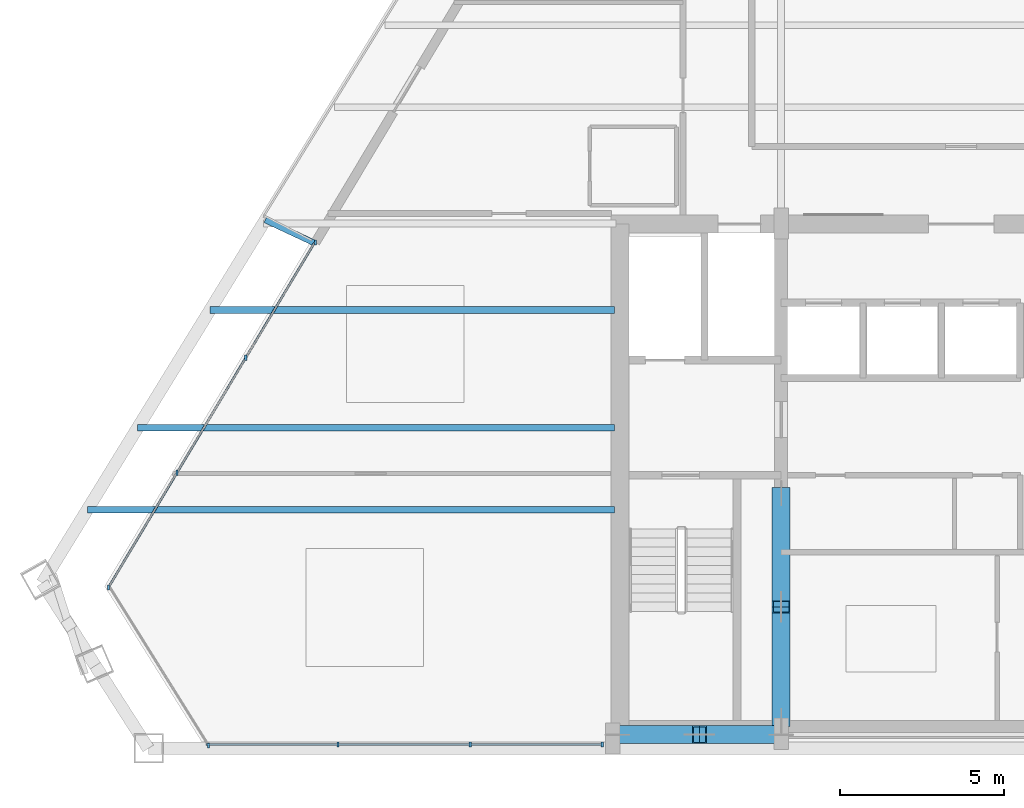
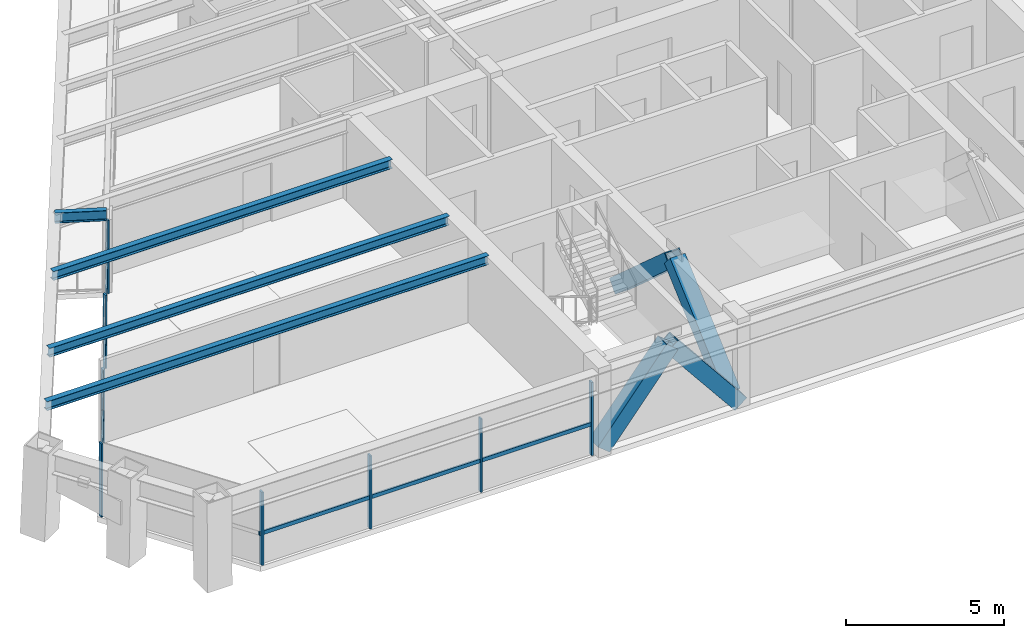
# One storey, part 2 of 12: 18 members, 4 beams, 3 elements without a shape of their own.
"""IFC4 building model written with IfcOpenShell, lengths in metres."""

from ifc_helpers import new_model, si_unit, direction, frame, origin, origin_2d, place, context, subcontext, project, spatial, rectangle, hollow_rectangle, i_section, extrude, source, transform, mapped, material, material_profile, profile_set, type_object, type_shapes, element, aggregate, save


model = new_model("IFC4")

# Units and contexts
model_context = context("Model", 3, precision=1e-05, world=origin(), true_north=direction((0.0, 1.0)))
body_context = subcontext(model_context, "Body", "Model", "MODEL_VIEW")
ifc_project = project(units=[si_unit("LENGTHUNIT", "METRE"), si_unit("AREAUNIT", "SQUARE_METRE"), si_unit("VOLUMEUNIT", "CUBIC_METRE"), si_unit("PLANEANGLEUNIT", "RADIAN"), si_unit("MASSUNIT", "GRAM", prefix="KILO")], contexts=[model_context])

# Site, building, storey
site_placement = place(None, origin())
site = spatial("IfcSite", under=ifc_project, at=site_placement, CompositionType="ELEMENT")
building_placement = place(site_placement, origin())
building = spatial("IfcBuilding", under=site, at=building_placement, Name="Varnakhor Terracotta Tower", CompositionType="ELEMENT")
storey_placement = place(building_placement, frame((0.0, 0.0, 223.449951171875)))
storey = spatial("IfcBuildingStorey", under=building, at=storey_placement, Name="L57", CompositionType="ELEMENT", Elevation=223.449951171875)

# Members
ifc_material_1 = material(Name="Steel S355", Category="steel")
ifc_material_profile_1 = material_profile(ifc_material_1, hollow_rectangle(XDim=0.550048828125, YDim=0.550048828125, WallThickness=0.034912109375, at=origin_2d()), Name="HSS550X550X35")
ifc_profile_set_1 = profile_set([ifc_material_profile_1], Name="Steel S355")
member_type_1 = type_object("IfcMemberType", Name="MBR-MEGA-550", PredefinedType="BRACE", material=ifc_profile_set_1)
shared_shape_1 = source(origin(), body_context, "Body", "SweptSolid", [
    extrude(hollow_rectangle(XDim=0.550048828125, YDim=0.550048828125, WallThickness=0.034912109375, at=origin_2d()), origin(), (0.0, 0.0, 1.0), 3.974853515625),
])
for number, where, z_axis, x_axis, name in (
    (1, (-10.5, 0.419921875, 0.0), (0.628970263838, 0.0, 0.777429358339), (0.0, 1.0, 0.0), "L57 Core Coupled Brace CSWA"),
    (2, (-5.5, 0.419921875, 0.0), (-0.628970263838, 0.0, 0.777429358339), (0.0, -1.0, 0.0), "L57 Core Coupled Brace CSWB"),
):
    element("IfcMember", number, at=place(storey_placement, frame(where, z_axis=z_axis, x_axis=x_axis)), inside=storey, type_object=member_type_1, Name=name, PredefinedType="BRACE", context=body_context, shape_type="MappedRepresentation", body=[
        mapped(shared_shape_1, transform((0.0, 0.0, 0.0), scale=1.0)),
    ])
shared_shape_2 = source(origin(), body_context, "Body", "SweptSolid", [
    extrude(hollow_rectangle(XDim=0.550048828125, YDim=0.550048828125, WallThickness=0.034912109375, at=origin_2d()), origin(), (0.0, 0.0, 1.0), 4.650146484375),
])
for number, where, z_axis, x_axis, name in (
    (3, (-5.5, 0.85009765625, 0.0), (0.0, 0.74726736397, 0.664523503532), (-1.0, 0.0, 0.0), "L57 Core Coupled Brace CWWA"),
    (4, (-5.5, 7.800048828125, 0.0), (0.0, -0.74729054724, 0.664497432655), (1.0, 0.0, 0.0), "L57 Core Coupled Brace CWWB"),
):
    element("IfcMember", number, at=place(storey_placement, frame(where, z_axis=z_axis, x_axis=x_axis)), inside=storey, type_object=member_type_1, Name=name, PredefinedType="BRACE", context=body_context, shape_type="MappedRepresentation", body=[
        mapped(shared_shape_2, transform((0.0, 0.0, 0.0), scale=1.0)),
    ])

# Beams
ifc_material_profile_2 = material_profile(ifc_material_1, i_section(OverallWidth=0.202880859375, OverallDepth=0.346923828125, WebThickness=0.0078125, FlangeThickness=0.013427734375, FilletRadius=0.01806640625, at=origin_2d()), Name="W14X43")
ifc_profile_set_2 = profile_set([ifc_material_profile_2], Name="Steel S355")
beam_type_1 = type_object("IfcBeamType", Name="JST-W14X43", PredefinedType="JOIST", material=ifc_profile_set_2)
shared_shape_3 = source(origin(), body_context, "Body", "SweptSolid", [
    extrude(i_section(OverallWidth=0.202880859375, OverallDepth=0.346923828125, WebThickness=0.0078125, FlangeThickness=0.013427734375, FilletRadius=0.01806640625, at=origin_2d()), origin(), (0.0, 0.0, 1.0), 16.106689453125),
])
beam_1_placement = place(storey_placement, frame((-26.706787109375, 7.300048828125, 3.066650390625), z_axis=(1.0, 0.0, 0.0), x_axis=(0.0, 1.0, 0.0)))
element("IfcBeam", 5, at=beam_1_placement, inside=storey, type_object=beam_type_1, Name="L57 Floor Joist W1", PredefinedType="JOIST", context=body_context, shape_type="MappedRepresentation", body=[
    mapped(shared_shape_3, transform((0.0, 0.0, 0.0), scale=1.0)),
])
shared_shape_4 = source(origin(), body_context, "Body", "SweptSolid", [
    extrude(i_section(OverallWidth=0.202880859375, OverallDepth=0.346923828125, WebThickness=0.0078125, FlangeThickness=0.013427734375, FilletRadius=0.01806640625, at=origin_2d()), origin(), (0.0, 0.0, 1.0), 14.5703125),
])
beam_2_placement = place(storey_placement, frame((-25.17041015625, 9.800048828125, 3.066650390625), z_axis=(1.0, 0.0, 0.0), x_axis=(0.0, 1.0, 0.0)))
element("IfcBeam", 6, at=beam_2_placement, inside=storey, type_object=beam_type_1, Name="L57 Floor Joist W2", PredefinedType="JOIST", context=body_context, shape_type="MappedRepresentation", body=[
    mapped(shared_shape_4, transform((0.0, 0.0, 0.0), scale=1.0)),
])
shared_shape_5 = source(origin(), body_context, "Body", "SweptSolid", [
    extrude(i_section(OverallWidth=0.202880859375, OverallDepth=0.346923828125, WebThickness=0.0078125, FlangeThickness=0.013427734375, FilletRadius=0.01806640625, at=origin_2d()), origin(), (0.0, 0.0, 1.0), 12.3583984375),
])
beam_3_placement = place(storey_placement, frame((-22.95849609375, 13.39990234375, 3.066650390625), z_axis=(1.0, 0.0, 0.0), x_axis=(0.0, 1.0, 0.0)))
element("IfcBeam", 7, at=beam_3_placement, inside=storey, type_object=beam_type_1, Name="L57 Floor Joist W3", PredefinedType="JOIST", context=body_context, shape_type="MappedRepresentation", body=[
    mapped(shared_shape_5, transform((0.0, 0.0, 0.0), scale=1.0)),
])

# Curtain wall, members
ifc_material_2 = material(Name="Anodised Aluminium Curtain Wall System", Category="aluminium")
curtain_wall_type = type_object("IfcCurtainWallType", Name="CW-SYS-HOTEL-LOGGIA", PredefinedType="NOTDEFINED", material=ifc_material_2)
curtain_wall_1_placement = place(storey_placement, origin())
curtain_wall_1 = element("IfcCurtainWall", 8, at=curtain_wall_1_placement, inside=storey, type_object=curtain_wall_type, Name="L57 W Facet Curtain Wall 1", PredefinedType="NOTDEFINED")
ifc_material_3 = material(Name="Anodised Aluminium 6063-T6", Category="aluminium")
ifc_material_profile_3 = material_profile(ifc_material_3, rectangle(XDim=0.06494140625, YDim=0.159912109375, at=origin_2d()), Name="ALU MULLION 65x160")
ifc_profile_set_3 = profile_set([ifc_material_profile_3], Name="Anodised Aluminium 6063-T6")
member_type_2 = type_object("IfcMemberType", Name="CWM-04", PredefinedType="MULLION", material=ifc_profile_set_3)
shared_shape_6 = source(origin(), body_context, "Body", "SweptSolid", [
    extrude(rectangle(XDim=0.06494140625, YDim=0.159912109375, at=origin_2d()), origin(), (0.0, 0.0, 1.0), 2.820068359375),
])
type_shapes(member_type_2, [shared_shape_6])
member_1_placement = place(storey_placement, frame((-26.062744140625, 4.92041015625, 0.0), z_axis=(0.0, 0.0, 1.0), x_axis=(1.0, 0.0, 0.0)))
member_1 = element("IfcMember", 9, at=member_1_placement, type_object=member_type_2, Name="L57 W Facet Curtain Wall 1 Mullion 1", PredefinedType="MULLION", context=body_context, shape_type="MappedRepresentation", body=[
    mapped(shared_shape_6, transform((0.0, 0.0, 0.0), scale=1.0)),
])
member_2_placement = place(storey_placement, frame((-23.964599609375, 8.4296875, 0.0), z_axis=(0.0, 0.0, 1.0), x_axis=(1.0, 0.0, 0.0)))
member_2 = element("IfcMember", 10, at=member_2_placement, type_object=member_type_2, Name="L57 W Facet Curtain Wall 1 Mullion 2", PredefinedType="MULLION", context=body_context, shape_type="MappedRepresentation", body=[
    mapped(shared_shape_6, transform((0.0, 0.0, 0.0), scale=1.0)),
])
member_3_placement = place(storey_placement, frame((-21.86669921875, 11.93896484375, 0.0), z_axis=(0.0, 0.0, 1.0), x_axis=(1.0, 0.0, 0.0)))
member_3 = element("IfcMember", 11, at=member_3_placement, type_object=member_type_2, Name="L57 W Facet Curtain Wall 1 Mullion 3", PredefinedType="MULLION", context=body_context, shape_type="MappedRepresentation", body=[
    mapped(shared_shape_6, transform((0.0, 0.0, 0.0), scale=1.0)),
])
member_4_placement = place(storey_placement, frame((-19.736083984375, 15.4638671875, 0.0), z_axis=(0.0, 0.0, 1.0), x_axis=(1.0, 0.0, 0.0)))
member_4 = element("IfcMember", 12, at=member_4_placement, type_object=member_type_2, Name="L57 W Loggia Jamb Closure Mullion 1", PredefinedType="MULLION", context=body_context, shape_type="MappedRepresentation", body=[
    mapped(shared_shape_6, transform((0.0, 0.0, 0.0), scale=1.0)),
])

curtain_wall_2_placement = place(storey_placement, origin())
curtain_wall_2 = element("IfcCurtainWall", 13, at=curtain_wall_2_placement, inside=storey, type_object=curtain_wall_type, Name="L57 South Wing Curtain Wall SSW", PredefinedType="NOTDEFINED")
member_5_placement = place(storey_placement, frame((-10.969970703125, 0.1201171875, 0.0), z_axis=(0.0, 0.0, 1.0), x_axis=(1.0, 0.0, 0.0)))
member_5 = element("IfcMember", 14, at=member_5_placement, type_object=member_type_2, Name="L57 South Wing Curtain Wall SSW Mullion 1", PredefinedType="MULLION", context=body_context, shape_type="MappedRepresentation", body=[
    mapped(shared_shape_6, transform((0.0, 0.0, 0.0), scale=1.0)),
])
member_6_placement = place(storey_placement, frame((-15.005126953125, 0.1201171875, 0.0), z_axis=(0.0, 0.0, 1.0), x_axis=(1.0, 0.0, 0.0)))
member_6 = element("IfcMember", 15, at=member_6_placement, type_object=member_type_2, Name="L57 South Wing Curtain Wall SSW Mullion 2", PredefinedType="MULLION", context=body_context, shape_type="MappedRepresentation", body=[
    mapped(shared_shape_6, transform((0.0, 0.0, 0.0), scale=1.0)),
])
member_7_placement = place(storey_placement, frame((-19.04052734375, 0.1201171875, 0.0), z_axis=(0.0, 0.0, 1.0), x_axis=(1.0, 0.0, 0.0)))
member_7 = element("IfcMember", 16, at=member_7_placement, type_object=member_type_2, Name="L57 South Wing Curtain Wall SSW Mullion 3", PredefinedType="MULLION", context=body_context, shape_type="MappedRepresentation", body=[
    mapped(shared_shape_6, transform((0.0, 0.0, 0.0), scale=1.0)),
])

# Curtain wall, member
curtain_wall_3_placement = place(storey_placement, origin())
curtain_wall_3 = element("IfcCurtainWall", 17, at=curtain_wall_3_placement, inside=storey, type_object=curtain_wall_type, Name="L57 Facet Curtain Wall 6", PredefinedType="NOTDEFINED")
member_8_placement = place(storey_placement, frame((-22.999755859375, 0.089111328125, 0.0), z_axis=(0.0, 0.0, 1.0), x_axis=(1.0, 0.0, 0.0)))
member_8 = element("IfcMember", 18, at=member_8_placement, type_object=member_type_2, Name="L57 Facet Curtain Wall 6 Mullion 1", PredefinedType="MULLION", context=body_context, shape_type="MappedRepresentation", body=[
    mapped(shared_shape_6, transform((0.0, 0.0, 0.0), scale=1.0)),
])
aggregate(curtain_wall_3, [member_8])

# Member
ifc_material_profile_4 = material_profile(ifc_material_3, rectangle(XDim=0.06494140625, YDim=0.14501953125, at=origin_2d()), Name="ALU TRANSOM 65x145")
ifc_profile_set_4 = profile_set([ifc_material_profile_4], Name="Anodised Aluminium 6063-T6")
member_type_3 = type_object("IfcMemberType", Name="CWT-04", PredefinedType="USERDEFINED", material=ifc_profile_set_4)
shared_shape_7 = source(origin(), body_context, "Body", "SweptSolid", [
    extrude(rectangle(XDim=0.06494140625, YDim=0.14501953125, at=origin_2d()), origin(), (0.0, 0.0, 1.0), 4.088623046875),
])
member_9_placement = place(storey_placement, frame((-26.062744140625, 4.92041015625, 1.1845703125), z_axis=(0.513160405098, 0.858292723166, 0.0), x_axis=(-0.858292723166, 0.513160405098, 0.0)))
member_9 = element("IfcMember", 19, at=member_9_placement, type_object=member_type_3, Name="L57 W Facet Curtain Wall 1 Transom 1", ObjectType="TRANSOM", PredefinedType="USERDEFINED", context=body_context, shape_type="MappedRepresentation", body=[
    mapped(shared_shape_7, transform((0.0, 0.0, 0.0), scale=1.0)),
])

member_10_placement = place(storey_placement, frame((-23.964599609375, 8.4296875, 1.1845703125), z_axis=(0.51311641564, 0.858319022276, 0.0), x_axis=(-0.858319022276, 0.51311641564, 0.0)))
member_10 = element("IfcMember", 20, at=member_10_placement, type_object=member_type_3, Name="L57 W Facet Curtain Wall 1 Transom 2", ObjectType="TRANSOM", PredefinedType="USERDEFINED", context=body_context, shape_type="MappedRepresentation", body=[
    mapped(shared_shape_7, transform((0.0, 0.0, 0.0), scale=1.0)),
])

shared_shape_8 = source(origin(), body_context, "Body", "SweptSolid", [
    extrude(rectangle(XDim=0.06494140625, YDim=0.14501953125, at=origin_2d()), origin(), (0.0, 0.0, 1.0), 4.0888671875),
])
member_11_placement = place(storey_placement, frame((-21.86669921875, 11.93896484375, 1.1845703125), z_axis=(0.513134106774, 0.858308445994, 0.0), x_axis=(-0.858308445994, 0.513134106774, 0.0)))
member_11 = element("IfcMember", 21, at=member_11_placement, type_object=member_type_3, Name="L57 W Facet Curtain Wall 1 Transom 3", ObjectType="TRANSOM", PredefinedType="USERDEFINED", context=body_context, shape_type="MappedRepresentation", body=[
    mapped(shared_shape_8, transform((0.0, 0.0, 0.0), scale=1.0)),
])

aggregate(curtain_wall_1, [member_1, member_9, member_2, member_10, member_3, member_11, member_4])

shared_shape_9 = source(origin(), body_context, "Body", "SweptSolid", [
    extrude(rectangle(XDim=0.06494140625, YDim=0.14501953125, at=origin_2d()), origin(), (0.0, 0.0, 1.0), 4.03515625),
])
member_12_placement = place(storey_placement, frame((-10.969970703125, 0.1201171875, 1.1845703125), z_axis=(-1.0, 0.0, 0.0), x_axis=(0.0, -1.0, 0.0)))
member_12 = element("IfcMember", 22, at=member_12_placement, type_object=member_type_3, Name="L57 South Wing Curtain Wall SSW Transom 1", ObjectType="TRANSOM", PredefinedType="USERDEFINED", context=body_context, shape_type="MappedRepresentation", body=[
    mapped(shared_shape_9, transform((0.0, 0.0, 0.0), scale=1.0)),
])

member_13_placement = place(storey_placement, frame((-19.04052734375, 0.1201171875, 1.1845703125), z_axis=(-1.0, 0.0, 0.0), x_axis=(0.0, -1.0, 0.0)))
member_13 = element("IfcMember", 23, at=member_13_placement, type_object=member_type_3, Name="L57 South Wing Curtain Wall SSW Transom 3", ObjectType="TRANSOM", PredefinedType="USERDEFINED", context=body_context, shape_type="MappedRepresentation", body=[
    mapped(shared_shape_9, transform((0.0, 0.0, 0.0), scale=1.0)),
])

shared_shape_10 = source(origin(), body_context, "Body", "SweptSolid", [
    extrude(rectangle(XDim=0.06494140625, YDim=0.14501953125, at=origin_2d()), origin(), (0.0, 0.0, 1.0), 4.035400390625),
])
member_14_placement = place(storey_placement, frame((-15.005126953125, 0.1201171875, 1.1845703125), z_axis=(-1.0, 0.0, 0.0), x_axis=(0.0, -1.0, 0.0)))
member_14 = element("IfcMember", 24, at=member_14_placement, type_object=member_type_3, Name="L57 South Wing Curtain Wall SSW Transom 2", ObjectType="TRANSOM", PredefinedType="USERDEFINED", context=body_context, shape_type="MappedRepresentation", body=[
    mapped(shared_shape_10, transform((0.0, 0.0, 0.0), scale=1.0)),
])

aggregate(curtain_wall_2, [member_5, member_12, member_6, member_14, member_7, member_13])

# Beam
ifc_material_profile_5 = material_profile(ifc_material_1, i_section(OverallWidth=0.179931640625, OverallDepth=0.39990234375, WebThickness=0.008544921875, FlangeThickness=0.013427734375, FilletRadius=0.01806640625, at=origin_2d()), Name="IPE400")
ifc_profile_set_5 = profile_set([ifc_material_profile_5], Name="Steel S355")
beam_type_2 = type_object("IfcBeamType", Name="JST-IPE400", PredefinedType="JOIST", material=ifc_profile_set_5)
shared_shape_11 = source(origin(), body_context, "Body", "SweptSolid", [
    extrude(i_section(OverallWidth=0.179931640625, OverallDepth=0.39990234375, WebThickness=0.008544921875, FlangeThickness=0.013427734375, FilletRadius=0.01806640625, at=origin_2d()), origin(), (0.0, 0.0, 1.0), 1.64111328125),
])
beam_4_placement = place(storey_placement, frame((-19.7822265625, 15.45361328125, 3.0400390625), z_axis=(-0.904909707739, 0.425603595897, 0.0), x_axis=(-0.425603595897, -0.904909707739, 0.0)))
element("IfcBeam", 25, at=beam_4_placement, inside=storey, type_object=beam_type_2, Name="L58 W Loggia Tie Beam 1", PredefinedType="JOIST", context=body_context, shape_type="MappedRepresentation", body=[
    mapped(shared_shape_11, transform((0.0, 0.0, 0.0), scale=1.0)),
])

save(model, "model.ifc")
